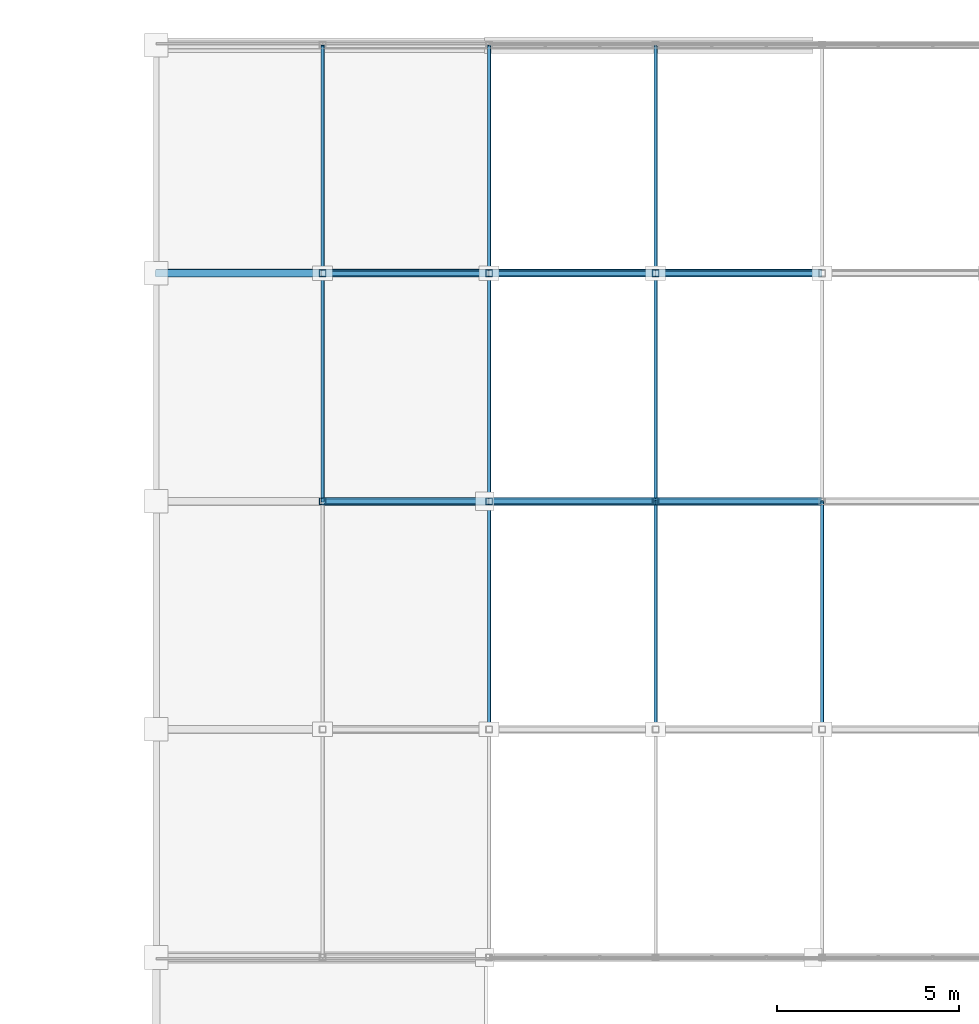
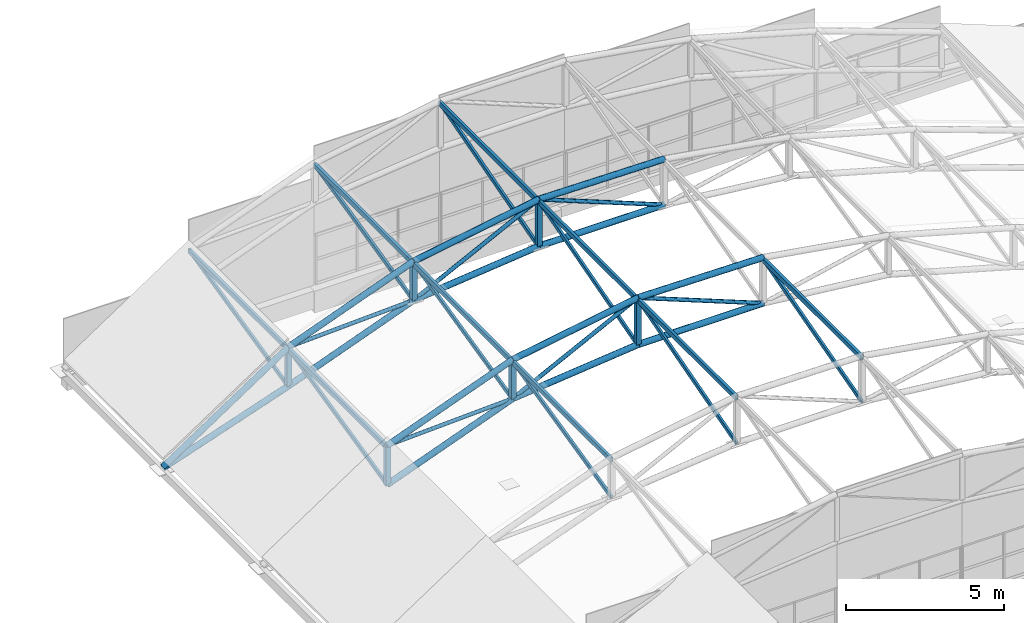
# One storey, part 69 of 101: 44 members.
"""IFC4 building model written with IfcOpenShell, lengths in metres."""

from ifc_helpers import new_model, si_unit, direction, frame, origin, origin_2d, place, context, subcontext, project, spatial, hollow_rectangle, hollow_circle, extrude, material, material_profile, profile_set, type_object, element, save


model = new_model("IFC4")

# Units and contexts
model_context = context("Model", 3, precision=1e-05, world=origin(), true_north=direction((0.0, 1.0)))
body_context = subcontext(model_context, "Body", "Model", "MODEL_VIEW")
ifc_project = project(units=[si_unit("LENGTHUNIT", "METRE"), si_unit("AREAUNIT", "SQUARE_METRE"), si_unit("VOLUMEUNIT", "CUBIC_METRE"), si_unit("PLANEANGLEUNIT", "RADIAN"), si_unit("MASSUNIT", "GRAM", prefix="KILO")], contexts=[model_context])

# Site, building, storey
site_placement = place(None, origin())
site = spatial("IfcSite", under=ifc_project, at=site_placement, CompositionType="ELEMENT")
building_placement = place(site_placement, origin())
building = spatial("IfcBuilding", under=site, at=building_placement, Name="Solvikara Media Centre", CompositionType="ELEMENT")
storey_placement = place(building_placement, frame((0.0, 0.0, 10.199951171875)))
storey = spatial("IfcBuildingStorey", under=building, at=storey_placement, Name="L02", CompositionType="ELEMENT", Elevation=10.199951171875)

# Members
ifc_material = material(Name="Steel S355JR", Category="steel")
ifc_material_profile_1 = material_profile(ifc_material, hollow_circle(Radius=0.109619140625, WallThickness=0.008056640625, at=origin_2d()), Name="CHS 219.1x8")
ifc_profile_set_1 = profile_set([ifc_material_profile_1], Name="Steel S355JR")
member_type_1 = type_object("IfcMemberType", Name="MB-05", PredefinedType="CHORD", material=ifc_profile_set_1)
for number, where, z_axis, x_axis, name in (
    (1, (132.06201171875, 101.5, 2.9580078125), (0.936407395887, 0.0, 0.350914788699), (0.0, 1.0, 0.0), "BSB-TC-02-01"),
    (2, (132.06201171875, 101.5, 1.4580078125), (0.936407395887, 0.0, 0.350914788699), (0.0, 1.0, 0.0), "BSB-BC-02-01"),
):
    element("IfcMember", number, at=place(storey_placement, frame(where, z_axis=z_axis, x_axis=x_axis)), inside=storey, type_object=member_type_1, Name=name, PredefinedType="CHORD", context=body_context, shape_type="SweptSolid", body=[
        extrude(hollow_circle(Radius=0.109619140625, WallThickness=0.008056640625, at=origin_2d()), origin(), (0.0, 0.0, 1.0), 4.872802734375),
    ])
member_1_placement = place(storey_placement, frame((136.625, 101.5, 4.66796875), z_axis=(0.98541075968, 0.0, 0.170192933775), x_axis=(0.0, 1.0, 0.0)))
element("IfcMember", 3, at=member_1_placement, inside=storey, type_object=member_type_1, Name="BSB-TC-02-02", PredefinedType="CHORD", context=body_context, shape_type="SweptSolid", body=[
    extrude(hollow_circle(Radius=0.109619140625, WallThickness=0.008056640625, at=origin_2d()), origin(), (0.0, 0.0, 1.0), 4.630615234375),
])
member_2_placement = place(storey_placement, frame((136.625, 101.5, 3.16796875), z_axis=(0.994463096743, 0.0, 0.105086389303), x_axis=(0.0, 1.0, 0.0)))
element("IfcMember", 4, at=member_2_placement, inside=storey, type_object=member_type_1, Name="BSB-BC-02-02", PredefinedType="CHORD", context=body_context, shape_type="SweptSolid", body=[
    extrude(hollow_circle(Radius=0.109619140625, WallThickness=0.008056640625, at=origin_2d()), origin(), (0.0, 0.0, 1.0), 4.58837890625),
])
member_3_placement = place(storey_placement, frame((141.18798828125, 101.5, 5.4560546875), z_axis=(0.999949391899, 0.0, -0.010060499073), x_axis=(0.0, 1.0, 0.0)))
element("IfcMember", 5, at=member_3_placement, inside=storey, type_object=member_type_1, Name="BSB-TC-02-03", PredefinedType="CHORD", context=body_context, shape_type="SweptSolid", body=[
    extrude(hollow_circle(Radius=0.109619140625, WallThickness=0.008056640625, at=origin_2d()), origin(), (0.0, 0.0, 1.0), 4.562255859375),
])
member_4_placement = place(storey_placement, frame((141.18798828125, 101.5, 3.650146484375), z_axis=(1.0, 0.0, 0.0), x_axis=(0.0, 1.0, 0.0)))
element("IfcMember", 6, at=member_4_placement, inside=storey, type_object=member_type_1, Name="BSB-BC-02-03", PredefinedType="CHORD", context=body_context, shape_type="SweptSolid", body=[
    extrude(hollow_circle(Radius=0.109619140625, WallThickness=0.008056640625, at=origin_2d()), origin(), (0.0, 0.0, 1.0), 4.56201171875),
])
member_5_placement = place(storey_placement, frame((127.5, 107.75, -0.06787109375), z_axis=(0.83335162007, 0.0, 0.55274322911), x_axis=(0.0, 1.0, 0.0)))
element("IfcMember", 7, at=member_5_placement, inside=storey, type_object=member_type_1, Name="BSB-TC-03-00", PredefinedType="CHORD", context=body_context, shape_type="SweptSolid", body=[
    extrude(hollow_circle(Radius=0.109619140625, WallThickness=0.008056640625, at=origin_2d()), origin(), (0.0, 0.0, 1.0), 5.474365234375),
])
member_6_placement = place(storey_placement, frame((127.5, 107.75, -0.099853515625), z_axis=(0.946343434254, 0.0, 0.323162659423), x_axis=(0.0, 1.0, 0.0)))
element("IfcMember", 8, at=member_6_placement, inside=storey, type_object=member_type_1, Name="BSB-BC-03-00", PredefinedType="CHORD", context=body_context, shape_type="SweptSolid", body=[
    extrude(hollow_circle(Radius=0.109619140625, WallThickness=0.008056640625, at=origin_2d()), origin(), (0.0, 0.0, 1.0), 4.820556640625),
])
for number, where, z_axis, x_axis, name in (
    (9, (132.06201171875, 107.75, 2.9580078125), (0.936407395887, 0.0, 0.350914788699), (0.0, 1.0, 0.0), "BSB-TC-03-01"),
    (10, (132.06201171875, 107.75, 1.4580078125), (0.936407395887, 0.0, 0.350914788699), (0.0, 1.0, 0.0), "BSB-BC-03-01"),
):
    element("IfcMember", number, at=place(storey_placement, frame(where, z_axis=z_axis, x_axis=x_axis)), inside=storey, type_object=member_type_1, Name=name, PredefinedType="CHORD", context=body_context, shape_type="SweptSolid", body=[
        extrude(hollow_circle(Radius=0.109619140625, WallThickness=0.008056640625, at=origin_2d()), origin(), (0.0, 0.0, 1.0), 4.872802734375),
    ])
member_7_placement = place(storey_placement, frame((136.625, 107.75, 4.66796875), z_axis=(0.98541075968, 0.0, 0.170192933775), x_axis=(0.0, 1.0, 0.0)))
element("IfcMember", 11, at=member_7_placement, inside=storey, type_object=member_type_1, Name="BSB-TC-03-02", PredefinedType="CHORD", context=body_context, shape_type="SweptSolid", body=[
    extrude(hollow_circle(Radius=0.109619140625, WallThickness=0.008056640625, at=origin_2d()), origin(), (0.0, 0.0, 1.0), 4.630615234375),
])
member_8_placement = place(storey_placement, frame((136.625, 107.75, 3.16796875), z_axis=(0.994463096743, 0.0, 0.105086389303), x_axis=(0.0, 1.0, 0.0)))
element("IfcMember", 12, at=member_8_placement, inside=storey, type_object=member_type_1, Name="BSB-BC-03-02", PredefinedType="CHORD", context=body_context, shape_type="SweptSolid", body=[
    extrude(hollow_circle(Radius=0.109619140625, WallThickness=0.008056640625, at=origin_2d()), origin(), (0.0, 0.0, 1.0), 4.58837890625),
])
member_9_placement = place(storey_placement, frame((141.18798828125, 107.75, 5.4560546875), z_axis=(0.999949391899, 0.0, -0.010060499073), x_axis=(0.0, 1.0, 0.0)))
element("IfcMember", 13, at=member_9_placement, inside=storey, type_object=member_type_1, Name="BSB-TC-03-03", PredefinedType="CHORD", context=body_context, shape_type="SweptSolid", body=[
    extrude(hollow_circle(Radius=0.109619140625, WallThickness=0.008056640625, at=origin_2d()), origin(), (0.0, 0.0, 1.0), 4.562255859375),
])
member_10_placement = place(storey_placement, frame((141.18798828125, 107.75, 3.650146484375), z_axis=(1.0, 0.0, 0.0), x_axis=(0.0, 1.0, 0.0)))
element("IfcMember", 14, at=member_10_placement, inside=storey, type_object=member_type_1, Name="BSB-BC-03-03", PredefinedType="CHORD", context=body_context, shape_type="SweptSolid", body=[
    extrude(hollow_circle(Radius=0.109619140625, WallThickness=0.008056640625, at=origin_2d()), origin(), (0.0, 0.0, 1.0), 4.56201171875),
])
ifc_material_profile_2 = material_profile(ifc_material, hollow_circle(Radius=0.06982421875, WallThickness=0.00634765625, at=origin_2d()), Name="CHS 139.7x6.3")
ifc_profile_set_2 = profile_set([ifc_material_profile_2], Name="Steel S355JR")
member_type_2 = type_object("IfcMemberType", Name="MB-08", PredefinedType="BRACE", material=ifc_profile_set_2)
member_11_placement = place(storey_placement, frame((132.06201171875, 101.5, 2.9580078125), z_axis=(0.998943038106, 0.0, 0.045965276232), x_axis=(0.0, 1.0, 0.0)))
element("IfcMember", 15, at=member_11_placement, inside=storey, type_object=member_type_2, Name="BSB-DG-02-01", PredefinedType="BRACE", context=body_context, shape_type="SweptSolid", body=[
    extrude(hollow_circle(Radius=0.06982421875, WallThickness=0.00634765625, at=origin_2d()), origin(), (0.0, 0.0, 1.0), 4.56787109375),
])
member_12_placement = place(storey_placement, frame((136.625, 101.5, 3.16796875), z_axis=(0.893910049242, 0.0, 0.448246387453), x_axis=(0.0, 1.0, 0.0)))
element("IfcMember", 16, at=member_12_placement, inside=storey, type_object=member_type_2, Name="BSB-DG-02-02", PredefinedType="BRACE", context=body_context, shape_type="SweptSolid", body=[
    extrude(hollow_circle(Radius=0.06982421875, WallThickness=0.00634765625, at=origin_2d()), origin(), (0.0, 0.0, 1.0), 5.1044921875),
])
member_13_placement = place(storey_placement, frame((141.18798828125, 101.5, 5.4560546875), z_axis=(0.929798808243, 0.0, -0.368068167857), x_axis=(0.0, 1.0, 0.0)))
element("IfcMember", 17, at=member_13_placement, inside=storey, type_object=member_type_2, Name="BSB-DG-02-03", PredefinedType="BRACE", context=body_context, shape_type="SweptSolid", body=[
    extrude(hollow_circle(Radius=0.06982421875, WallThickness=0.00634765625, at=origin_2d()), origin(), (0.0, 0.0, 1.0), 4.906494140625),
])
member_14_placement = place(storey_placement, frame((132.06201171875, 107.75, 2.9580078125), z_axis=(0.998943038106, 0.0, 0.045965276232), x_axis=(0.0, 1.0, 0.0)))
element("IfcMember", 18, at=member_14_placement, inside=storey, type_object=member_type_2, Name="BSB-DG-03-01", PredefinedType="BRACE", context=body_context, shape_type="SweptSolid", body=[
    extrude(hollow_circle(Radius=0.06982421875, WallThickness=0.00634765625, at=origin_2d()), origin(), (0.0, 0.0, 1.0), 4.56787109375),
])
member_15_placement = place(storey_placement, frame((136.625, 107.75, 3.16796875), z_axis=(0.893910049242, 0.0, 0.448246387453), x_axis=(0.0, 1.0, 0.0)))
element("IfcMember", 19, at=member_15_placement, inside=storey, type_object=member_type_2, Name="BSB-DG-03-02", PredefinedType="BRACE", context=body_context, shape_type="SweptSolid", body=[
    extrude(hollow_circle(Radius=0.06982421875, WallThickness=0.00634765625, at=origin_2d()), origin(), (0.0, 0.0, 1.0), 5.1044921875),
])
member_16_placement = place(storey_placement, frame((141.18798828125, 107.75, 5.4560546875), z_axis=(0.929798808243, 0.0, -0.368068167857), x_axis=(0.0, 1.0, 0.0)))
element("IfcMember", 20, at=member_16_placement, inside=storey, type_object=member_type_2, Name="BSB-DG-03-03", PredefinedType="BRACE", context=body_context, shape_type="SweptSolid", body=[
    extrude(hollow_circle(Radius=0.06982421875, WallThickness=0.00634765625, at=origin_2d()), origin(), (0.0, 0.0, 1.0), 4.906494140625),
])
ifc_material_profile_3 = material_profile(ifc_material, hollow_rectangle(XDim=0.179931640625, YDim=0.179931640625, WallThickness=0.008056640625, at=origin_2d()), Name="RHS 180x180x8")
ifc_profile_set_3 = profile_set([ifc_material_profile_3], Name="Steel S355JR")
member_type_3 = type_object("IfcMemberType", Name="MB-14", PredefinedType="BRACE", material=ifc_profile_set_3)
for number, where, z_axis, x_axis, name in (
    (21, (132.06201171875, 101.5, 1.4580078125), (0.0, 0.0, 1.0), (1.0, 0.0, 0.0), "BSB-VT-02-01"),
    (22, (136.625, 101.5, 3.16796875), (0.0, 0.0, 1.0), (1.0, 0.0, 0.0), "BSB-VT-02-02"),
):
    element("IfcMember", number, at=place(storey_placement, frame(where, z_axis=z_axis, x_axis=x_axis)), inside=storey, type_object=member_type_3, Name=name, PredefinedType="BRACE", context=body_context, shape_type="SweptSolid", body=[
        extrude(hollow_rectangle(XDim=0.179931640625, YDim=0.179931640625, WallThickness=0.008056640625, at=origin_2d()), origin(), (0.0, 0.0, 1.0), 1.5),
    ])
member_17_placement = place(storey_placement, frame((141.18798828125, 101.5, 3.650146484375), z_axis=(0.0, 0.0, 1.0), x_axis=(1.0, 0.0, 0.0)))
element("IfcMember", 23, at=member_17_placement, inside=storey, type_object=member_type_3, Name="BSB-VT-02-03", PredefinedType="BRACE", context=body_context, shape_type="SweptSolid", body=[
    extrude(hollow_rectangle(XDim=0.179931640625, YDim=0.179931640625, WallThickness=0.008056640625, at=origin_2d()), origin(), (0.0, 0.0, 1.0), 1.805908203125),
])
for number, where, z_axis, x_axis, name in (
    (24, (132.06201171875, 107.75, 1.4580078125), (0.0, 0.0, 1.0), (1.0, 0.0, 0.0), "BSB-VT-03-01"),
    (25, (136.625, 107.75, 3.16796875), (0.0, 0.0, 1.0), (1.0, 0.0, 0.0), "BSB-VT-03-02"),
):
    element("IfcMember", number, at=place(storey_placement, frame(where, z_axis=z_axis, x_axis=x_axis)), inside=storey, type_object=member_type_3, Name=name, PredefinedType="BRACE", context=body_context, shape_type="SweptSolid", body=[
        extrude(hollow_rectangle(XDim=0.179931640625, YDim=0.179931640625, WallThickness=0.008056640625, at=origin_2d()), origin(), (0.0, 0.0, 1.0), 1.5),
    ])
member_18_placement = place(storey_placement, frame((141.18798828125, 107.75, 3.650146484375), z_axis=(0.0, 0.0, 1.0), x_axis=(1.0, 0.0, 0.0)))
element("IfcMember", 26, at=member_18_placement, inside=storey, type_object=member_type_3, Name="BSB-VT-03-03", PredefinedType="BRACE", context=body_context, shape_type="SweptSolid", body=[
    extrude(hollow_rectangle(XDim=0.179931640625, YDim=0.179931640625, WallThickness=0.008056640625, at=origin_2d()), origin(), (0.0, 0.0, 1.0), 1.805908203125),
])
ifc_material_profile_4 = material_profile(ifc_material, hollow_rectangle(XDim=0.10009765625, YDim=0.179931640625, WallThickness=0.0048828125, at=origin_2d()), Name="RHS 180x100x5")
ifc_profile_set_4 = profile_set([ifc_material_profile_4], Name="Steel S355JR")
member_type_4 = type_object("IfcMemberType", Name="MB-18", PredefinedType="PURLIN", material=ifc_profile_set_4)
for number, where, z_axis, x_axis, name in (
    (27, (136.625, 95.25, 4.60302734375), (0.0, 1.0, 0.0), (-1.0, 0.0, 0.0), "BSB-PRL-01-02"),
    (28, (141.18798828125, 95.25, 5.39111328125), (0.0, 1.0, 0.0), (-1.0, 0.0, 0.0), "BSB-PRL-01-03"),
    (29, (145.75, 95.25, 5.344970703125), (0.0, 1.0, 0.0), (-1.0, 0.0, 0.0), "BSB-PRL-01-04"),
    (30, (132.06201171875, 101.5, 2.89306640625), (0.0, 1.0, 0.0), (-1.0, 0.0, 0.0), "BSB-PRL-02-01"),
    (31, (136.625, 101.5, 4.60302734375), (0.0, 1.0, 0.0), (-1.0, 0.0, 0.0), "BSB-PRL-02-02"),
    (32, (141.18798828125, 101.5, 5.39111328125), (0.0, 1.0, 0.0), (-1.0, 0.0, 0.0), "BSB-PRL-02-03"),
    (33, (132.06201171875, 107.75, 2.89306640625), (0.0, 1.0, 0.0), (-1.0, 0.0, 0.0), "BSB-PRL-03-01"),
    (34, (136.625, 107.75, 4.60302734375), (0.0, 1.0, 0.0), (-1.0, 0.0, 0.0), "BSB-PRL-03-02"),
    (35, (141.18798828125, 107.75, 5.39111328125), (0.0, 1.0, 0.0), (-1.0, 0.0, 0.0), "BSB-PRL-03-03"),
):
    element("IfcMember", number, at=place(storey_placement, frame(where, z_axis=z_axis, x_axis=x_axis)), inside=storey, type_object=member_type_4, Name=name, PredefinedType="PURLIN", context=body_context, shape_type="SweptSolid", body=[
        extrude(hollow_rectangle(XDim=0.10009765625, YDim=0.179931640625, WallThickness=0.0048828125, at=origin_2d()), origin(), (0.0, 0.0, 1.0), 6.25),
    ])
ifc_material_profile_5 = material_profile(ifc_material, hollow_rectangle(XDim=0.080078125, YDim=0.14990234375, WallThickness=0.0048828125, at=origin_2d()), Name="RHS 150x80x5")
ifc_profile_set_5 = profile_set([ifc_material_profile_5], Name="Steel S355JR")
member_type_5 = type_object("IfcMemberType", Name="MB-27", PredefinedType="PURLIN", material=ifc_profile_set_5)
member_19_placement = place(storey_placement, frame((136.625, 95.25, 3.16796875), z_axis=(0.0, 0.973607860399, 0.228227373838), x_axis=(-1.0, 0.0, 0.0)))
element("IfcMember", 36, at=member_19_placement, inside=storey, type_object=member_type_5, Name="BSB-3D-01-02", PredefinedType="PURLIN", context=body_context, shape_type="SweptSolid", body=[
    extrude(hollow_rectangle(XDim=0.080078125, YDim=0.14990234375, WallThickness=0.0048828125, at=origin_2d()), origin(), (0.0, 0.0, 1.0), 6.41943359375),
])
member_20_placement = place(storey_placement, frame((141.18798828125, 95.25, 3.650146484375), z_axis=(0.0, 0.962120154599, 0.272625765682), x_axis=(-1.0, 0.0, 0.0)))
element("IfcMember", 37, at=member_20_placement, inside=storey, type_object=member_type_5, Name="BSB-3D-01-03", PredefinedType="PURLIN", context=body_context, shape_type="SweptSolid", body=[
    extrude(hollow_rectangle(XDim=0.080078125, YDim=0.14990234375, WallThickness=0.0048828125, at=origin_2d()), origin(), (0.0, 0.0, 1.0), 6.49609375),
])
member_21_placement = place(storey_placement, frame((145.75, 95.25, 3.650146484375), z_axis=(0.0, 0.963964319598, 0.266031559295), x_axis=(-1.0, 0.0, 0.0)))
element("IfcMember", 38, at=member_21_placement, inside=storey, type_object=member_type_5, Name="BSB-3D-01-04", PredefinedType="PURLIN", context=body_context, shape_type="SweptSolid", body=[
    extrude(hollow_rectangle(XDim=0.080078125, YDim=0.14990234375, WallThickness=0.0048828125, at=origin_2d()), origin(), (0.0, 0.0, 1.0), 6.483642578125),
])
for number, where, z_axis, x_axis, name in (
    (39, (132.06201171875, 101.5, 1.4580078125), (0.0, 0.973607860399, 0.228227373838), (-1.0, 0.0, 0.0), "BSB-3D-02-01"),
    (40, (136.625, 101.5, 3.16796875), (0.0, 0.973607860399, 0.228227373838), (-1.0, 0.0, 0.0), "BSB-3D-02-02"),
):
    element("IfcMember", number, at=place(storey_placement, frame(where, z_axis=z_axis, x_axis=x_axis)), inside=storey, type_object=member_type_5, Name=name, PredefinedType="PURLIN", context=body_context, shape_type="SweptSolid", body=[
        extrude(hollow_rectangle(XDim=0.080078125, YDim=0.14990234375, WallThickness=0.0048828125, at=origin_2d()), origin(), (0.0, 0.0, 1.0), 6.41943359375),
    ])
member_22_placement = place(storey_placement, frame((141.18798828125, 101.5, 3.650146484375), z_axis=(0.0, 0.962120154599, 0.272625765682), x_axis=(-1.0, 0.0, 0.0)))
element("IfcMember", 41, at=member_22_placement, inside=storey, type_object=member_type_5, Name="BSB-3D-02-03", PredefinedType="PURLIN", context=body_context, shape_type="SweptSolid", body=[
    extrude(hollow_rectangle(XDim=0.080078125, YDim=0.14990234375, WallThickness=0.0048828125, at=origin_2d()), origin(), (0.0, 0.0, 1.0), 6.49609375),
])
for number, where, z_axis, x_axis, name in (
    (42, (132.06201171875, 107.75, 1.4580078125), (0.0, 0.973607860399, 0.228227373838), (-1.0, 0.0, 0.0), "BSB-3D-03-01"),
    (43, (136.625, 107.75, 3.16796875), (0.0, 0.973607860399, 0.228227373838), (-1.0, 0.0, 0.0), "BSB-3D-03-02"),
):
    element("IfcMember", number, at=place(storey_placement, frame(where, z_axis=z_axis, x_axis=x_axis)), inside=storey, type_object=member_type_5, Name=name, PredefinedType="PURLIN", context=body_context, shape_type="SweptSolid", body=[
        extrude(hollow_rectangle(XDim=0.080078125, YDim=0.14990234375, WallThickness=0.0048828125, at=origin_2d()), origin(), (0.0, 0.0, 1.0), 6.41943359375),
    ])
member_23_placement = place(storey_placement, frame((141.18798828125, 107.75, 3.650146484375), z_axis=(0.0, 0.962120154599, 0.272625765682), x_axis=(-1.0, 0.0, 0.0)))
element("IfcMember", 44, at=member_23_placement, inside=storey, type_object=member_type_5, Name="BSB-3D-03-03", PredefinedType="PURLIN", context=body_context, shape_type="SweptSolid", body=[
    extrude(hollow_rectangle(XDim=0.080078125, YDim=0.14990234375, WallThickness=0.0048828125, at=origin_2d()), origin(), (0.0, 0.0, 1.0), 6.49609375),
])

save(model, "model.ifc")
